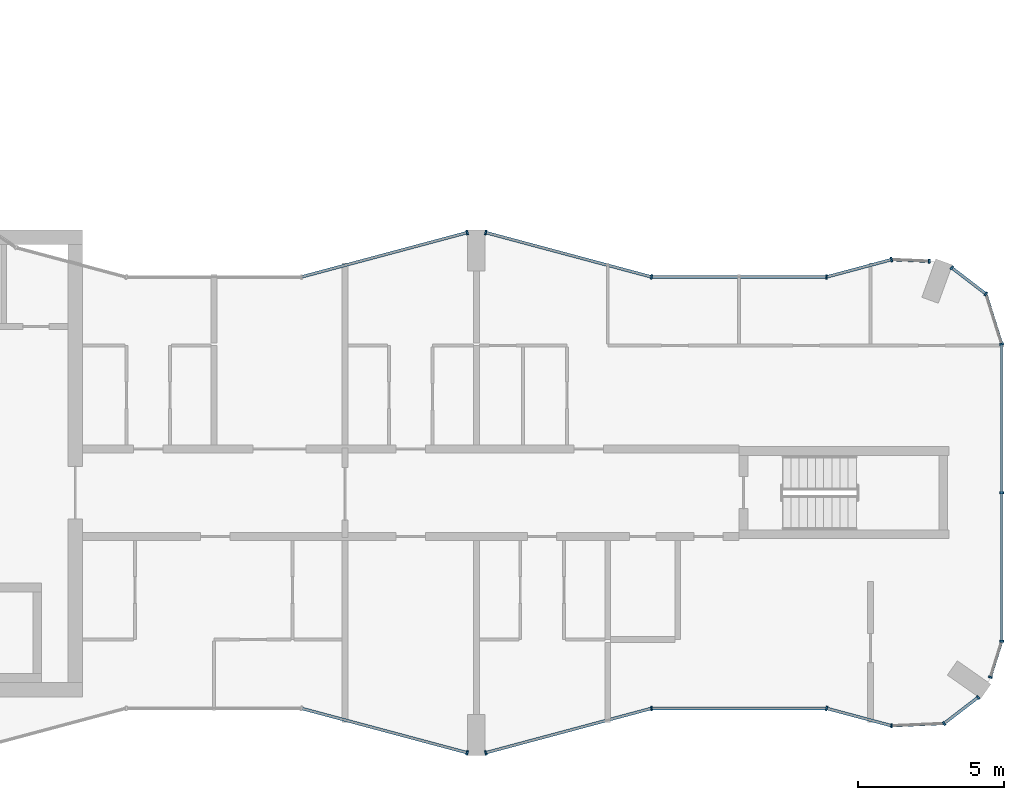
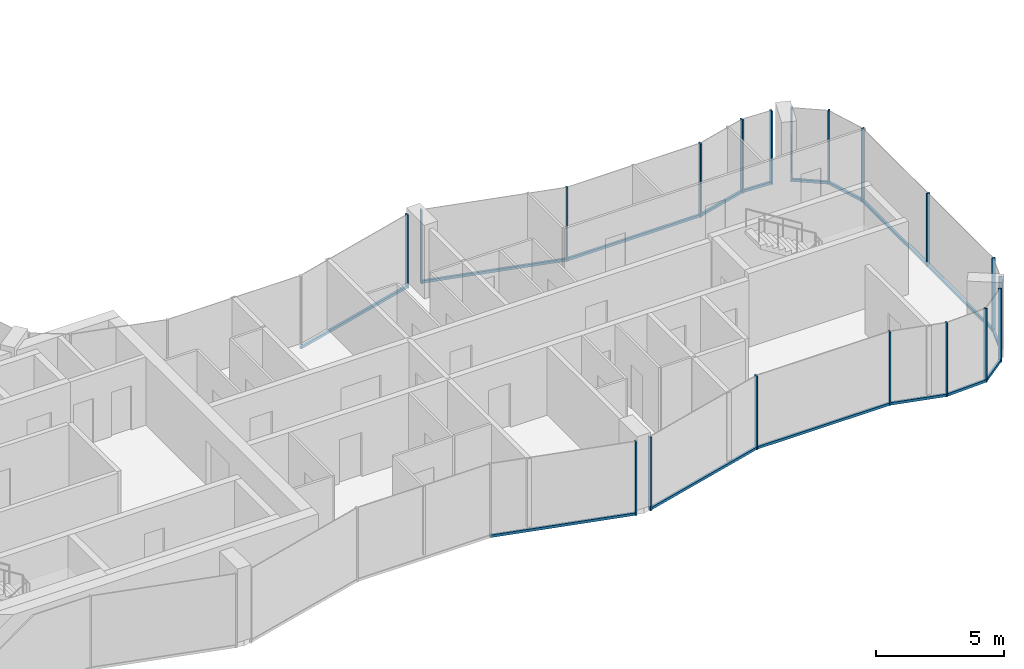
# One storey, part 6 of 16: 34 members, 15 elements without a shape of their own.
"""IFC4 building model written with IfcOpenShell, lengths in metres."""

from ifc_helpers import new_model, si_unit, direction, frame, origin, origin_2d, place, context, subcontext, project, spatial, rectangle, extrude, material, layer, layer_set, material_profile, profile_set, type_object, element, aggregate, save


model = new_model("IFC4")

# Units and contexts
model_context = context("Model", 3, precision=1e-05, world=origin(), true_north=direction((0.0, 1.0)))
body_context = subcontext(model_context, "Body", "Model", "MODEL_VIEW")
ifc_project = project(units=[si_unit("LENGTHUNIT", "METRE"), si_unit("AREAUNIT", "SQUARE_METRE"), si_unit("VOLUMEUNIT", "CUBIC_METRE"), si_unit("PLANEANGLEUNIT", "RADIAN"), si_unit("MASSUNIT", "GRAM", prefix="KILO")], contexts=[model_context])

# Site, building, storey
site_placement = place(None, origin())
site = spatial("IfcSite", under=ifc_project, at=site_placement, CompositionType="ELEMENT")
building_placement = place(site_placement, origin())
building = spatial("IfcBuilding", under=site, at=building_placement, Name="Plateau Cross Towers", CompositionType="ELEMENT")
storey_placement = place(building_placement, frame((0.0, 0.0, 218.89990234375)))
storey = spatial("IfcBuildingStorey", under=building, at=storey_placement, Name="L57", CompositionType="ELEMENT", Elevation=218.89990234375)

# Curtain wall, member
ifc_material_1 = material(Name="Dark low-iron glass", Category="glass")
ifc_layer_1 = layer(ifc_material_1, 0.239990234375)
ifc_layer_set_1 = layer_set([ifc_layer_1], Name="Dark low-iron glass")
curtain_wall_type_1 = type_object("IfcCurtainWallType", Name="Curtain wall flush unitised CW-B", PredefinedType="NOTDEFINED", material=ifc_layer_set_1)
curtain_wall_1_placement = place(storey_placement, origin())
curtain_wall_1 = element("IfcCurtainWall", 1, at=curtain_wall_1_placement, inside=storey, type_object=curtain_wall_type_1, Name="ENV/A/L57/A502_10", PredefinedType="NOTDEFINED")
ifc_material_2 = material(Name="Black anodised aluminium", Category="aluminium")
ifc_material_profile_1 = material_profile(ifc_material_2, rectangle(XDim=0.06005859375, YDim=0.139892578125, at=origin_2d()), Name="MULLION 60x140")
ifc_profile_set_1 = profile_set([ifc_material_profile_1], Name="Black anodised aluminium")
member_type_1 = type_object("IfcMemberType", Name="Mullion 60x140 flush unitised", PredefinedType="MULLION", material=ifc_profile_set_1)
member_1_placement = place(storey_placement, frame((50.223876953125, 1.01123046875, -0.25), z_axis=(0.0, 0.0, 1.0), x_axis=(0.999043701491, 0.043722791671, 0.0)))
member_1 = element("IfcMember", 2, at=member_1_placement, type_object=member_type_1, Name="CW-B mullion 1", PredefinedType="MULLION", context=body_context, shape_type="SweptSolid", body=[
    extrude(rectangle(XDim=0.06005859375, YDim=0.139892578125, at=origin_2d()), origin(), (0.0, 0.0, 1.0), 3.5),
])

# Curtain wall, members
curtain_wall_2_placement = place(storey_placement, origin())
curtain_wall_2 = element("IfcCurtainWall", 3, at=curtain_wall_2_placement, inside=storey, type_object=curtain_wall_type_1, Name="ENV/A/L57/A520_11", PredefinedType="NOTDEFINED")
member_2_placement = place(storey_placement, frame((52.0263671875, 1.090087890625, -0.25), z_axis=(0.0, 0.0, 1.0), x_axis=(0.793315514529, 0.608810721331, 0.0)))
member_2 = element("IfcMember", 4, at=member_2_placement, type_object=member_type_1, Name="CW-B mullion 1", PredefinedType="MULLION", context=body_context, shape_type="SweptSolid", body=[
    extrude(rectangle(XDim=0.06005859375, YDim=0.139892578125, at=origin_2d()), origin(), (0.0, 0.0, 1.0), 3.5),
])
member_3_placement = place(storey_placement, frame((53.193603515625, 1.986083984375, -0.25), z_axis=(0.0, 0.0, 1.0), x_axis=(0.793315514529, 0.608810721331, 0.0)))
member_3 = element("IfcMember", 5, at=member_3_placement, type_object=member_type_1, Name="CW-B mullion 2", PredefinedType="MULLION", context=body_context, shape_type="SweptSolid", body=[
    extrude(rectangle(XDim=0.06005859375, YDim=0.139892578125, at=origin_2d()), origin(), (0.0, 0.0, 1.0), 3.5),
])

# Curtain wall, member
curtain_wall_3_placement = place(storey_placement, origin())
curtain_wall_3 = element("IfcCurtainWall", 6, at=curtain_wall_3_placement, inside=storey, type_object=curtain_wall_type_1, Name="ENV/A/L57/A536_27", PredefinedType="NOTDEFINED")
member_4_placement = place(storey_placement, frame((53.611083984375, 2.67529296875, -0.25), z_axis=(0.0, 0.0, 1.0), x_axis=(0.300686174994, 0.95372313811, 0.0)))
member_4 = element("IfcMember", 7, at=member_4_placement, type_object=member_type_1, Name="CW-B mullion 1", PredefinedType="MULLION", context=body_context, shape_type="SweptSolid", body=[
    extrude(rectangle(XDim=0.06005859375, YDim=0.139892578125, at=origin_2d()), origin(), (0.0, 0.0, 1.0), 3.5),
])

# Curtain wall, members
curtain_wall_4_placement = place(storey_placement, origin())
curtain_wall_4 = element("IfcCurtainWall", 8, at=curtain_wall_4_placement, inside=storey, type_object=curtain_wall_type_1, Name="ENV/A/L57/A540_39", PredefinedType="NOTDEFINED")
member_5_placement = place(storey_placement, frame((54.0, 3.9091796875, -0.25), z_axis=(0.0, 0.0, 1.0), x_axis=(0.0, 1.0, 0.0)))
member_5 = element("IfcMember", 9, at=member_5_placement, type_object=member_type_1, Name="CW-B mullion 1", PredefinedType="MULLION", context=body_context, shape_type="SweptSolid", body=[
    extrude(rectangle(XDim=0.06005859375, YDim=0.139892578125, at=origin_2d()), origin(), (0.0, 0.0, 1.0), 3.5),
])
member_6_placement = place(storey_placement, frame((54.0, 9.0, -0.25), z_axis=(0.0, 0.0, 1.0), x_axis=(0.0, 1.0, 0.0)))
member_6 = element("IfcMember", 10, at=member_6_placement, type_object=member_type_1, Name="CW-B mullion 2", PredefinedType="MULLION", context=body_context, shape_type="SweptSolid", body=[
    extrude(rectangle(XDim=0.06005859375, YDim=0.139892578125, at=origin_2d()), origin(), (0.0, 0.0, 1.0), 3.5),
])

# Curtain wall, member
curtain_wall_5_placement = place(storey_placement, origin())
curtain_wall_5 = element("IfcCurtainWall", 11, at=curtain_wall_5_placement, inside=storey, type_object=curtain_wall_type_1, Name="ENV/A/L57/A540_141", PredefinedType="NOTDEFINED")
member_7_placement = place(storey_placement, frame((54.0, 14.0908203125, -0.25), z_axis=(0.0, 0.0, 1.0), x_axis=(-0.300686174994, 0.95372313811, 0.0)))
member_7 = element("IfcMember", 12, at=member_7_placement, type_object=member_type_1, Name="CW-B mullion 1", PredefinedType="MULLION", context=body_context, shape_type="SweptSolid", body=[
    extrude(rectangle(XDim=0.06005859375, YDim=0.139892578125, at=origin_2d()), origin(), (0.0, 0.0, 1.0), 3.5),
])

# Curtain wall, members
curtain_wall_6_placement = place(storey_placement, origin())
curtain_wall_6 = element("IfcCurtainWall", 13, at=curtain_wall_6_placement, inside=storey, type_object=curtain_wall_type_1, Name="ENV/A/L57/A535_158", PredefinedType="NOTDEFINED")
member_8_placement = place(storey_placement, frame((53.45751953125, 15.8115234375, -0.25), z_axis=(0.0, 0.0, 1.0), x_axis=(-0.793315514529, 0.608810721331, 0.0)))
member_8 = element("IfcMember", 14, at=member_8_placement, type_object=member_type_1, Name="CW-B mullion 1", PredefinedType="MULLION", context=body_context, shape_type="SweptSolid", body=[
    extrude(rectangle(XDim=0.06005859375, YDim=0.139892578125, at=origin_2d()), origin(), (0.0, 0.0, 1.0), 3.5),
])
member_9_placement = place(storey_placement, frame((52.290283203125, 16.707275390625, -0.25), z_axis=(0.0, 0.0, 1.0), x_axis=(-0.793315514529, 0.608810721331, 0.0)))
member_9 = element("IfcMember", 15, at=member_9_placement, type_object=member_type_1, Name="CW-B mullion 2", PredefinedType="MULLION", context=body_context, shape_type="SweptSolid", body=[
    extrude(rectangle(XDim=0.06005859375, YDim=0.139892578125, at=origin_2d()), origin(), (0.0, 0.0, 1.0), 3.5),
])

# Curtain wall, member
curtain_wall_7_placement = place(storey_placement, origin())
curtain_wall_7 = element("IfcCurtainWall", 16, at=curtain_wall_7_placement, inside=storey, type_object=curtain_wall_type_1, Name="ENV/A/L57/A515_169", PredefinedType="NOTDEFINED")
member_10_placement = place(storey_placement, frame((51.516357421875, 16.93212890625, -0.25), z_axis=(0.0, 0.0, 1.0), x_axis=(-0.999043701491, 0.043722791671, 0.0)))
member_10 = element("IfcMember", 17, at=member_10_placement, type_object=member_type_1, Name="CW-B mullion 1", PredefinedType="MULLION", context=body_context, shape_type="SweptSolid", body=[
    extrude(rectangle(XDim=0.06005859375, YDim=0.139892578125, at=origin_2d()), origin(), (0.0, 0.0, 1.0), 3.5),
])

ifc_layer_2 = layer(ifc_material_1, 0.260009765625)
ifc_layer_set_2 = layer_set([ifc_layer_2], Name="Dark low-iron glass")
curtain_wall_type_2 = type_object("IfcCurtainWallType", Name="Curtain wall fluted unitised CW-A", PredefinedType="NOTDEFINED", material=ifc_layer_set_2)
curtain_wall_8_placement = place(storey_placement, origin())
curtain_wall_8 = element("IfcCurtainWall", 18, at=curtain_wall_8_placement, inside=storey, type_object=curtain_wall_type_2, Name="ENV/A/L57/A300_16", PredefinedType="NOTDEFINED")
ifc_material_profile_2 = material_profile(ifc_material_2, rectangle(XDim=0.06005859375, YDim=0.159912109375, at=origin_2d()), Name="MULLION 60x160")
ifc_profile_set_2 = profile_set([ifc_material_profile_2], Name="Black anodised aluminium")
member_type_2 = type_object("IfcMemberType", Name="Mullion 60x160 fluted unitised", PredefinedType="MULLION", material=ifc_profile_set_2)
member_11_placement = place(storey_placement, frame((35.68212890625, 0.085205078125, -0.25), z_axis=(0.0, 0.0, 1.0), x_axis=(0.965957983404, -0.258699003279, 0.0)))
member_11 = element("IfcMember", 19, at=member_11_placement, type_object=member_type_2, Name="CW-A mullion 2", PredefinedType="MULLION", context=body_context, shape_type="SweptSolid", body=[
    extrude(rectangle(XDim=0.06005859375, YDim=0.159912109375, at=origin_2d()), origin(), (0.0, 0.0, 1.0), 3.5),
])

curtain_wall_9_placement = place(storey_placement, origin())
curtain_wall_9 = element("IfcCurtainWall", 20, at=curtain_wall_9_placement, inside=storey, type_object=curtain_wall_type_2, Name="ENV/A/L57/A363_1", PredefinedType="NOTDEFINED")
member_12_placement = place(storey_placement, frame((36.31787109375, 0.085205078125, -0.25), z_axis=(0.0, 0.0, 1.0), x_axis=(0.965957983404, 0.258699003279, 0.0)))
member_12 = element("IfcMember", 21, at=member_12_placement, type_object=member_type_2, Name="CW-A mullion 1", PredefinedType="MULLION", context=body_context, shape_type="SweptSolid", body=[
    extrude(rectangle(XDim=0.06005859375, YDim=0.159912109375, at=origin_2d()), origin(), (0.0, 0.0, 1.0), 3.5),
])

curtain_wall_10_placement = place(storey_placement, origin())
curtain_wall_10 = element("IfcCurtainWall", 22, at=curtain_wall_10_placement, inside=storey, type_object=curtain_wall_type_2, Name="ENV/A/L57/A420_16", PredefinedType="NOTDEFINED")
member_13_placement = place(storey_placement, frame((42.0, 1.60693359375, -0.25), z_axis=(0.0, 0.0, 1.0), x_axis=(1.0, 0.0, 0.0)))
member_13 = element("IfcMember", 23, at=member_13_placement, type_object=member_type_2, Name="CW-A mullion 1", PredefinedType="MULLION", context=body_context, shape_type="SweptSolid", body=[
    extrude(rectangle(XDim=0.06005859375, YDim=0.159912109375, at=origin_2d()), origin(), (0.0, 0.0, 1.0), 3.5),
])

curtain_wall_11_placement = place(storey_placement, origin())
curtain_wall_11 = element("IfcCurtainWall", 24, at=curtain_wall_11_placement, inside=storey, type_object=curtain_wall_type_2, Name="ENV/A/L57/A480_16", PredefinedType="NOTDEFINED")
member_14_placement = place(storey_placement, frame((48.0, 1.60693359375, -0.25), z_axis=(0.0, 0.0, 1.0), x_axis=(0.965957962328, -0.258699081978, 0.0)))
member_14 = element("IfcMember", 25, at=member_14_placement, type_object=member_type_2, Name="CW-A mullion 1", PredefinedType="MULLION", context=body_context, shape_type="SweptSolid", body=[
    extrude(rectangle(XDim=0.06005859375, YDim=0.159912109375, at=origin_2d()), origin(), (0.0, 0.0, 1.0), 3.5),
])

curtain_wall_12_placement = place(storey_placement, origin())
curtain_wall_12 = element("IfcCurtainWall", 26, at=curtain_wall_12_placement, inside=storey, type_object=curtain_wall_type_2, Name="ENV/A/L57/A502_170", PredefinedType="NOTDEFINED")
member_15_placement = place(storey_placement, frame((50.223876953125, 16.98876953125, -0.25), z_axis=(0.0, 0.0, 1.0), x_axis=(-0.965957962328, -0.258699081978, 0.0)))
member_15 = element("IfcMember", 27, at=member_15_placement, type_object=member_type_2, Name="CW-A mullion 1", PredefinedType="MULLION", context=body_context, shape_type="SweptSolid", body=[
    extrude(rectangle(XDim=0.06005859375, YDim=0.159912109375, at=origin_2d()), origin(), (0.0, 0.0, 1.0), 3.5),
])

curtain_wall_13_placement = place(storey_placement, origin())
curtain_wall_13 = element("IfcCurtainWall", 28, at=curtain_wall_13_placement, inside=storey, type_object=curtain_wall_type_2, Name="ENV/A/L57/A480_164", PredefinedType="NOTDEFINED")
member_16_placement = place(storey_placement, frame((48.0, 16.39306640625, -0.25), z_axis=(0.0, 0.0, 1.0), x_axis=(-1.0, 0.0, 0.0)))
member_16 = element("IfcMember", 29, at=member_16_placement, type_object=member_type_2, Name="CW-A mullion 1", PredefinedType="MULLION", context=body_context, shape_type="SweptSolid", body=[
    extrude(rectangle(XDim=0.06005859375, YDim=0.159912109375, at=origin_2d()), origin(), (0.0, 0.0, 1.0), 3.5),
])

# Curtain wall, members
curtain_wall_14_placement = place(storey_placement, origin())
curtain_wall_14 = element("IfcCurtainWall", 30, at=curtain_wall_14_placement, inside=storey, type_object=curtain_wall_type_2, Name="ENV/A/L57/A420_164", PredefinedType="NOTDEFINED")
member_17_placement = place(storey_placement, frame((42.0, 16.39306640625, -0.25), z_axis=(0.0, 0.0, 1.0), x_axis=(-0.965957983404, 0.258699003279, 0.0)))
member_17 = element("IfcMember", 31, at=member_17_placement, type_object=member_type_2, Name="CW-A mullion 1", PredefinedType="MULLION", context=body_context, shape_type="SweptSolid", body=[
    extrude(rectangle(XDim=0.06005859375, YDim=0.159912109375, at=origin_2d()), origin(), (0.0, 0.0, 1.0), 3.5),
])
member_18_placement = place(storey_placement, frame((36.31787109375, 17.914794921875, -0.25), z_axis=(0.0, 0.0, 1.0), x_axis=(-0.965957983404, 0.258699003279, 0.0)))
member_18 = element("IfcMember", 32, at=member_18_placement, type_object=member_type_2, Name="CW-A mullion 2", PredefinedType="MULLION", context=body_context, shape_type="SweptSolid", body=[
    extrude(rectangle(XDim=0.06005859375, YDim=0.159912109375, at=origin_2d()), origin(), (0.0, 0.0, 1.0), 3.5),
])

# Curtain wall, member
curtain_wall_15_placement = place(storey_placement, origin())
curtain_wall_15 = element("IfcCurtainWall", 33, at=curtain_wall_15_placement, inside=storey, type_object=curtain_wall_type_2, Name="ENV/A/L57/A357_179", PredefinedType="NOTDEFINED")
member_19_placement = place(storey_placement, frame((35.68212890625, 17.914794921875, -0.25), z_axis=(0.0, 0.0, 1.0), x_axis=(-0.965957983404, -0.258699003279, 0.0)))
member_19 = element("IfcMember", 34, at=member_19_placement, type_object=member_type_2, Name="CW-A mullion 1", PredefinedType="MULLION", context=body_context, shape_type="SweptSolid", body=[
    extrude(rectangle(XDim=0.06005859375, YDim=0.159912109375, at=origin_2d()), origin(), (0.0, 0.0, 1.0), 3.5),
])

# Member
ifc_material_profile_3 = material_profile(ifc_material_2, rectangle(XDim=0.10009765625, YDim=0.1201171875, at=origin_2d()), Name="TRANSOM 100x120")
ifc_profile_set_3 = profile_set([ifc_material_profile_3], Name="Black anodised aluminium")
member_type_3 = type_object("IfcMemberType", Name="Transom 100x120 flush unitised", PredefinedType="USERDEFINED", material=ifc_profile_set_3)
member_20_placement = place(storey_placement, frame((50.223876953125, 1.01123046875, -0.18994140625), z_axis=(0.999044377355, 0.043707345779, 0.0), x_axis=(-0.043707345779, 0.999044377355, 0.0)))
member_20 = element("IfcMember", 35, at=member_20_placement, type_object=member_type_3, Name="CW-B transom", ObjectType="TRANSOM", PredefinedType="USERDEFINED", context=body_context, shape_type="SweptSolid", body=[
    extrude(rectangle(XDim=0.10009765625, YDim=0.1201171875, at=origin_2d()), origin(), (0.0, 0.0, 1.0), 1.80419921875),
])

aggregate(curtain_wall_1, [member_1, member_20])

member_21_placement = place(storey_placement, frame((52.0263671875, 1.090087890625, -0.18994140625), z_axis=(0.793240368515, 0.608908628415, 0.0), x_axis=(-0.608908628415, 0.793240368515, 0.0)))
member_21 = element("IfcMember", 36, at=member_21_placement, type_object=member_type_3, Name="CW-B transom", ObjectType="TRANSOM", PredefinedType="USERDEFINED", context=body_context, shape_type="SweptSolid", body=[
    extrude(rectangle(XDim=0.10009765625, YDim=0.1201171875, at=origin_2d()), origin(), (0.0, 0.0, 1.0), 1.471435546875),
])

aggregate(curtain_wall_2, [member_2, member_3, member_21])

member_22_placement = place(storey_placement, frame((53.611083984375, 2.67529296875, -0.18994140625), z_axis=(0.300616528216, 0.953745093284, 0.0), x_axis=(-0.953745093284, 0.300616528216, 0.0)))
member_22 = element("IfcMember", 37, at=member_22_placement, type_object=member_type_3, Name="CW-B transom", ObjectType="TRANSOM", PredefinedType="USERDEFINED", context=body_context, shape_type="SweptSolid", body=[
    extrude(rectangle(XDim=0.10009765625, YDim=0.1201171875, at=origin_2d()), origin(), (0.0, 0.0, 1.0), 1.293701171875),
])

aggregate(curtain_wall_3, [member_4, member_22])

member_23_placement = place(storey_placement, frame((54.0, 3.9091796875, -0.18994140625), z_axis=(0.0, 1.0, 0.0), x_axis=(-1.0, 0.0, 0.0)))
member_23 = element("IfcMember", 38, at=member_23_placement, type_object=member_type_3, Name="CW-B transom", ObjectType="TRANSOM", PredefinedType="USERDEFINED", context=body_context, shape_type="SweptSolid", body=[
    extrude(rectangle(XDim=0.10009765625, YDim=0.1201171875, at=origin_2d()), origin(), (0.0, 0.0, 1.0), 10.181640625),
])

aggregate(curtain_wall_4, [member_5, member_6, member_23])

member_24_placement = place(storey_placement, frame((54.0, 14.0908203125, -0.18994140625), z_axis=(-0.30067799945, 0.953725715626, 0.0), x_axis=(-0.953725715626, -0.30067799945, 0.0)))
member_24 = element("IfcMember", 39, at=member_24_placement, type_object=member_type_3, Name="CW-B transom", ObjectType="TRANSOM", PredefinedType="USERDEFINED", context=body_context, shape_type="SweptSolid", body=[
    extrude(rectangle(XDim=0.10009765625, YDim=0.1201171875, at=origin_2d()), origin(), (0.0, 0.0, 1.0), 1.80419921875),
])

aggregate(curtain_wall_5, [member_7, member_24])

member_25_placement = place(storey_placement, frame((53.45751953125, 15.8115234375, -0.18994140625), z_axis=(-0.793320508571, 0.608804213751, 0.0), x_axis=(-0.608804213751, -0.793320508571, 0.0)))
member_25 = element("IfcMember", 40, at=member_25_placement, type_object=member_type_3, Name="CW-B transom", ObjectType="TRANSOM", PredefinedType="USERDEFINED", context=body_context, shape_type="SweptSolid", body=[
    extrude(rectangle(XDim=0.10009765625, YDim=0.1201171875, at=origin_2d()), origin(), (0.0, 0.0, 1.0), 1.471435546875),
])

aggregate(curtain_wall_6, [member_8, member_9, member_25])

member_26_placement = place(storey_placement, frame((51.516357421875, 16.93212890625, -0.18994140625), z_axis=(-0.999041144614, 0.043781175963, 0.0), x_axis=(-0.043781175963, -0.999041144614, 0.0)))
member_26 = element("IfcMember", 41, at=member_26_placement, type_object=member_type_3, Name="CW-B transom", ObjectType="TRANSOM", PredefinedType="USERDEFINED", context=body_context, shape_type="SweptSolid", body=[
    extrude(rectangle(XDim=0.10009765625, YDim=0.1201171875, at=origin_2d()), origin(), (0.0, 0.0, 1.0), 1.293701171875),
])

aggregate(curtain_wall_7, [member_10, member_26])

ifc_material_profile_4 = material_profile(ifc_material_2, rectangle(XDim=0.10009765625, YDim=0.1201171875, at=origin_2d()), Name="TRANSOM 100x120")
ifc_profile_set_4 = profile_set([ifc_material_profile_4], Name="Black anodised aluminium")
member_type_4 = type_object("IfcMemberType", Name="Transom 100x120 fluted unitised", PredefinedType="USERDEFINED", material=ifc_profile_set_4)
member_27_placement = place(storey_placement, frame((30.0, 1.60693359375, -0.18994140625), z_axis=(0.965959534794, -0.258693210465, 0.0), x_axis=(0.258693210465, 0.965959534794, 0.0)))
member_27 = element("IfcMember", 42, at=member_27_placement, type_object=member_type_4, Name="CW-A transom", ObjectType="TRANSOM", PredefinedType="USERDEFINED", context=body_context, shape_type="SweptSolid", body=[
    extrude(rectangle(XDim=0.10009765625, YDim=0.1201171875, at=origin_2d()), origin(), (0.0, 0.0, 1.0), 5.88232421875),
])

aggregate(curtain_wall_8, [member_11, member_27])

member_28_placement = place(storey_placement, frame((36.31787109375, 0.085205078125, -0.18994140625), z_axis=(0.965959534794, 0.258693210465, 0.0), x_axis=(-0.258693210465, 0.965959534794, 0.0)))
member_28 = element("IfcMember", 43, at=member_28_placement, type_object=member_type_4, Name="CW-A transom", ObjectType="TRANSOM", PredefinedType="USERDEFINED", context=body_context, shape_type="SweptSolid", body=[
    extrude(rectangle(XDim=0.10009765625, YDim=0.1201171875, at=origin_2d()), origin(), (0.0, 0.0, 1.0), 5.88232421875),
])

aggregate(curtain_wall_9, [member_12, member_28])

member_29_placement = place(storey_placement, frame((42.0, 1.60693359375, -0.18994140625), z_axis=(1.0, 0.0, 0.0), x_axis=(0.0, 1.0, 0.0)))
member_29 = element("IfcMember", 44, at=member_29_placement, type_object=member_type_4, Name="CW-A transom", ObjectType="TRANSOM", PredefinedType="USERDEFINED", context=body_context, shape_type="SweptSolid", body=[
    extrude(rectangle(XDim=0.10009765625, YDim=0.1201171875, at=origin_2d()), origin(), (0.0, 0.0, 1.0), 6.0),
])

aggregate(curtain_wall_10, [member_13, member_29])

member_30_placement = place(storey_placement, frame((48.0, 1.60693359375, -0.18994140625), z_axis=(0.965945685136, -0.258744919501, 0.0), x_axis=(0.258744919501, 0.965945685136, 0.0)))
member_30 = element("IfcMember", 45, at=member_30_placement, type_object=member_type_4, Name="CW-A transom", ObjectType="TRANSOM", PredefinedType="USERDEFINED", context=body_context, shape_type="SweptSolid", body=[
    extrude(rectangle(XDim=0.10009765625, YDim=0.1201171875, at=origin_2d()), origin(), (0.0, 0.0, 1.0), 2.30224609375),
])

aggregate(curtain_wall_11, [member_14, member_30])

member_31_placement = place(storey_placement, frame((50.223876953125, 16.98876953125, -0.18994140625), z_axis=(-0.965945685136, -0.258744919501, 0.0), x_axis=(0.258744919501, -0.965945685136, 0.0)))
member_31 = element("IfcMember", 46, at=member_31_placement, type_object=member_type_4, Name="CW-A transom", ObjectType="TRANSOM", PredefinedType="USERDEFINED", context=body_context, shape_type="SweptSolid", body=[
    extrude(rectangle(XDim=0.10009765625, YDim=0.1201171875, at=origin_2d()), origin(), (0.0, 0.0, 1.0), 2.30224609375),
])

aggregate(curtain_wall_12, [member_15, member_31])

member_32_placement = place(storey_placement, frame((48.0, 16.39306640625, -0.18994140625), z_axis=(-1.0, 0.0, 0.0), x_axis=(0.0, -1.0, 0.0)))
member_32 = element("IfcMember", 47, at=member_32_placement, type_object=member_type_4, Name="CW-A transom", ObjectType="TRANSOM", PredefinedType="USERDEFINED", context=body_context, shape_type="SweptSolid", body=[
    extrude(rectangle(XDim=0.10009765625, YDim=0.1201171875, at=origin_2d()), origin(), (0.0, 0.0, 1.0), 6.0),
])

aggregate(curtain_wall_13, [member_16, member_32])

member_33_placement = place(storey_placement, frame((42.0, 16.39306640625, -0.18994140625), z_axis=(-0.965959534794, 0.258693210465, 0.0), x_axis=(-0.258693210465, -0.965959534794, 0.0)))
member_33 = element("IfcMember", 48, at=member_33_placement, type_object=member_type_4, Name="CW-A transom", ObjectType="TRANSOM", PredefinedType="USERDEFINED", context=body_context, shape_type="SweptSolid", body=[
    extrude(rectangle(XDim=0.10009765625, YDim=0.1201171875, at=origin_2d()), origin(), (0.0, 0.0, 1.0), 5.88232421875),
])

aggregate(curtain_wall_14, [member_17, member_18, member_33])

member_34_placement = place(storey_placement, frame((35.68212890625, 17.914794921875, -0.18994140625), z_axis=(-0.965959534794, -0.258693210465, 0.0), x_axis=(0.258693210465, -0.965959534794, 0.0)))
member_34 = element("IfcMember", 49, at=member_34_placement, type_object=member_type_4, Name="CW-A transom", ObjectType="TRANSOM", PredefinedType="USERDEFINED", context=body_context, shape_type="SweptSolid", body=[
    extrude(rectangle(XDim=0.10009765625, YDim=0.1201171875, at=origin_2d()), origin(), (0.0, 0.0, 1.0), 5.88232421875),
])

aggregate(curtain_wall_15, [member_19, member_34])

save(model, "model.ifc")
